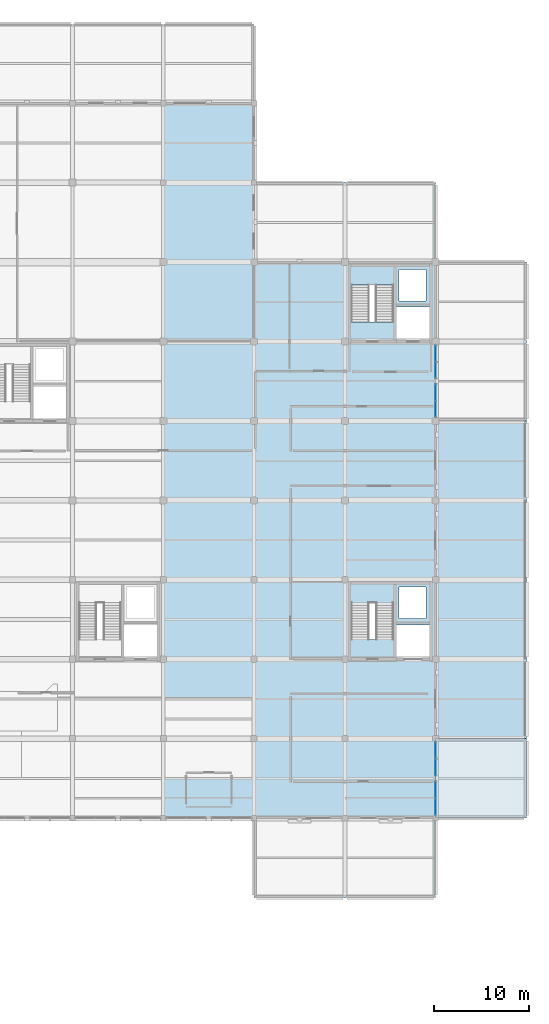
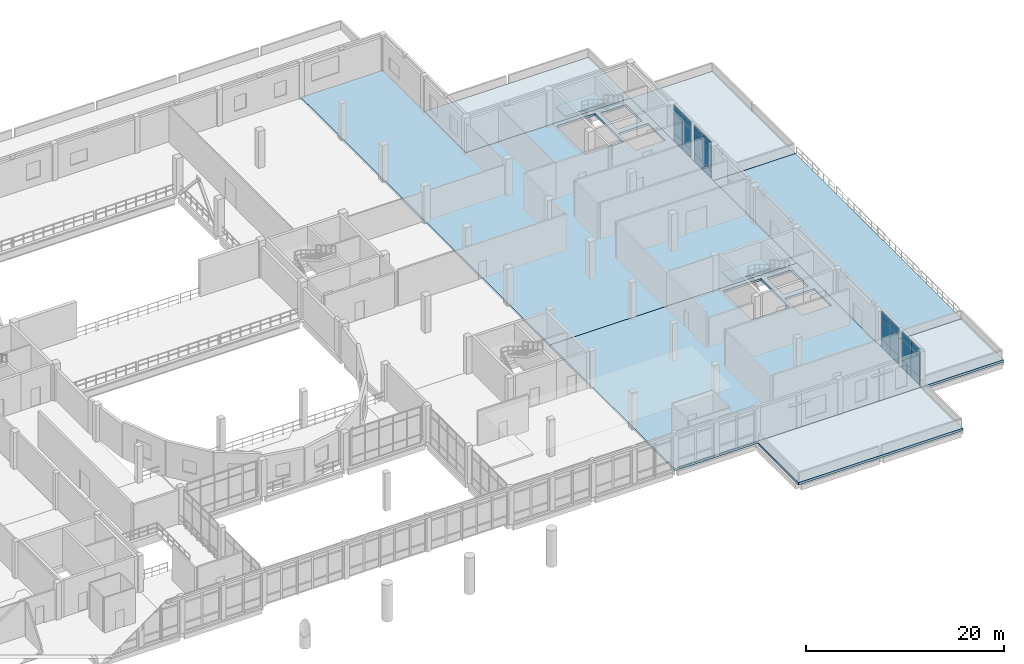
# One storey, part 70 of 88: 24 plates, 9 slabs, 6 elements without a shape of their own.
"""IFC4 building model written with IfcOpenShell, lengths in metres."""

from ifc_helpers import new_model, si_unit, direction, frame, origin, origin_2d, place, context, subcontext, project, spatial, polyline, rectangle, outline, extrude, material, layer, layer_set, type_object, element, aggregate, save


model = new_model("IFC4")

# Units and contexts
model_context = context("Model", 3, precision=1e-05, world=origin(), true_north=direction((0.0, 1.0)))
body_context = subcontext(model_context, "Body", "Model", "MODEL_VIEW")
ifc_project = project(units=[si_unit("LENGTHUNIT", "METRE"), si_unit("AREAUNIT", "SQUARE_METRE"), si_unit("VOLUMEUNIT", "CUBIC_METRE"), si_unit("PLANEANGLEUNIT", "RADIAN"), si_unit("MASSUNIT", "GRAM", prefix="KILO")], contexts=[model_context])

# Site, building, storey
site_placement = place(None, origin())
site = spatial("IfcSite", under=ifc_project, at=site_placement, CompositionType="ELEMENT")
building_placement = place(site_placement, origin())
building = spatial("IfcBuilding", under=site, at=building_placement, Name="Lornevale Opera House", CompositionType="ELEMENT")
storey_placement = place(building_placement, frame((0.0, 0.0, 10.199951171875)))
storey = spatial("IfcBuildingStorey", under=building, at=storey_placement, Name="L03", CompositionType="ELEMENT", Elevation=10.199951171875)

# Slabs
ifc_material_1 = material(Name="Concrete 35 MPa (CSA A23.1 N)", Category="concrete")
ifc_layer_1 = layer(ifc_material_1, 0.280029296875)
ifc_layer_set_1 = layer_set([ifc_layer_1], Name="Concrete 35 MPa (CSA A23.1 N)")
slab_type_1 = type_object("IfcSlabType", Name="Dress Circle Floor Slab 280", PredefinedType="FLOOR", material=ifc_layer_set_1)
slab_1_placement = place(storey_placement, frame((0.0, 0.0, -0.280029296875)))
element("IfcSlab", 1, at=slab_1_placement, inside=storey, type_object=slab_type_1, Name="Dress Circle Floor Slab 280 SL-047", PredefinedType="FLOOR", context=body_context, shape_type="SweptSolid", body=[
    extrude(outline(polyline([(115.199951171875, 33.60009765625), (115.199951171875, 42.0), (124.800048828125, 42.0), (134.39990234375, 42.0), (144.0, 42.0), (144.0, 33.60009765625), (144.0, 25.199951171875), (144.0, 16.800048828125), (134.39990234375, 16.800048828125), (124.800048828125, 16.800048828125), (115.199951171875, 16.800048828125), (115.199951171875, 25.199951171875), (115.199951171875, 33.60009765625)]), holes=[polyline([(139.860107421875, 33.780029296875), (143.320068359375, 33.780029296875), (143.320068359375, 37.239990234375), (139.860107421875, 37.239990234375), (139.860107421875, 33.780029296875)]), polyline([(135.06005859375, 35.679931640625), (139.5400390625, 35.679931640625), (139.5400390625, 41.47998046875), (135.06005859375, 41.47998046875), (135.06005859375, 35.679931640625)]), polyline([(140.10009765625, 37.89990234375), (143.0, 37.89990234375), (143.0, 41.239990234375), (140.10009765625, 41.239990234375), (140.10009765625, 37.89990234375)])]), origin(), (0.0, 0.0, 1.0), 0.280029296875),
])
slab_2_placement = place(storey_placement, frame((0.0, 0.0, -0.280029296875)))
element("IfcSlab", 2, at=slab_2_placement, inside=storey, type_object=slab_type_1, Name="Dress Circle Floor Slab 280 SL-050", PredefinedType="FLOOR", context=body_context, shape_type="SweptSolid", body=[
    extrude(outline(polyline([(115.199951171875, 58.800048828125), (115.199951171875, 67.199951171875), (115.199951171875, 75.60009765625), (115.199951171875, 84.0), (115.199951171875, 92.39990234375), (124.800048828125, 92.39990234375), (124.800048828125, 84.0), (124.800048828125, 75.60009765625), (134.39990234375, 75.60009765625), (144.0, 75.60009765625), (144.0, 67.199951171875), (144.0, 58.800048828125), (144.0, 50.39990234375), (144.0, 42.0), (134.39990234375, 42.0), (124.800048828125, 42.0), (115.199951171875, 42.0), (115.199951171875, 50.39990234375), (115.199951171875, 58.800048828125)]), holes=[polyline([(139.860107421875, 67.3798828125), (143.320068359375, 67.3798828125), (143.320068359375, 70.840087890625), (139.860107421875, 70.840087890625), (139.860107421875, 67.3798828125)]), polyline([(135.06005859375, 69.280029296875), (139.5400390625, 69.280029296875), (139.5400390625, 75.080078125), (135.06005859375, 75.080078125), (135.06005859375, 69.280029296875)]), polyline([(140.10009765625, 71.5), (143.0, 71.5), (143.0, 74.840087890625), (140.10009765625, 74.840087890625), (140.10009765625, 71.5)])]), origin(), (0.0, 0.0, 1.0), 0.280029296875),
])
ifc_material_2 = material(Name="Concrete 40 MPa (CSA A23.1 C-1)", Category="concrete")
ifc_layer_2 = layer(ifc_material_2, 0.25)
ifc_layer_set_2 = layer_set([ifc_layer_2], Name="Concrete 40 MPa (CSA A23.1 C-1)")
slab_type_2 = type_object("IfcSlabType", Name="Escarpment Terrace Deck Slab 250", PredefinedType="USERDEFINED", material=ifc_layer_set_2)
slab_3_placement = place(storey_placement, frame((0.0, 0.0, -0.25)))
element("IfcSlab", 3, at=slab_3_placement, inside=storey, type_object=slab_type_2, Name="Escarpment Terrace Deck Slab 250 SL-052", ObjectType="TERRACE", PredefinedType="USERDEFINED", context=body_context, shape_type="SweptSolid", body=[
    extrude(outline(polyline([(144.0, 25.199951171875), (144.0, 33.60009765625), (144.0, 42.0), (144.0, 50.39990234375), (144.0, 58.800048828125), (153.60009765625, 58.800048828125), (153.60009765625, 50.39990234375), (153.60009765625, 42.0), (153.60009765625, 33.60009765625), (153.60009765625, 25.199951171875), (144.0, 25.199951171875)])), origin(), (0.0, 0.0, 1.0), 0.25),
])

# Stair, slab
ifc_layer_3 = layer(ifc_material_1, 4.800048828125)
ifc_layer_set_3 = layer_set([ifc_layer_3], Name="Concrete 35 MPa (CSA A23.1 N)")
stair_type_1 = type_object("IfcStairType", Name="Firefighter Core Stair 4800-W1880", PredefinedType="TWO_STRAIGHT_RUN_STAIR", material=ifc_layer_set_3)
stair_1_placement = place(storey_placement, origin())
stair_1 = element("IfcStair", 4, at=stair_1_placement, inside=storey, type_object=stair_type_1, Name="Backstage Firefighter Core East Stair ST-32 (L03-L04)", PredefinedType="TWO_STRAIGHT_RUN_STAIR")
ifc_layer_4 = layer(ifc_material_1, 0.219970703125)
ifc_layer_set_4 = layer_set([ifc_layer_4], Name="Concrete 35 MPa (CSA A23.1 N)")
slab_type_3 = type_object("IfcSlabType", Name="Stair Half-Landing Slab 220", PredefinedType="LANDING", material=ifc_layer_set_4)
slab_4_placement = place(storey_placement, frame((0.0, 0.0, 2.179931640625)))
slab_4 = element("IfcSlab", 5, at=slab_4_placement, type_object=slab_type_3, Name="ST-32 Half-Landing SL-LND-032", PredefinedType="LANDING", context=body_context, shape_type="SweptSolid", body=[
    extrude(outline(polyline([(135.0, 73.159912109375), (139.60009765625, 73.159912109375), (139.60009765625, 75.179931640625), (135.0, 75.179931640625), (135.0, 73.159912109375)])), origin(), (0.0, 0.0, 1.0), 0.22021484375),
])
aggregate(stair_1, [slab_4])

ifc_layer_5 = layer(ifc_material_1, 4.800048828125)
ifc_layer_set_5 = layer_set([ifc_layer_5], Name="Concrete 35 MPa (CSA A23.1 N)")
stair_type_2 = type_object("IfcStairType", Name="Protected Exit Stair 4800-W1840", PredefinedType="TWO_STRAIGHT_RUN_STAIR", material=ifc_layer_set_5)
stair_2_placement = place(storey_placement, origin())
stair_2 = element("IfcStair", 6, at=stair_2_placement, inside=storey, type_object=stair_type_2, Name="Backstage Service Lift Core Stair ST-39 (L03-L04)", PredefinedType="TWO_STRAIGHT_RUN_STAIR")
slab_5_placement = place(storey_placement, frame((0.0, 0.0, 2.179931640625)))
slab_5 = element("IfcSlab", 7, at=slab_5_placement, type_object=slab_type_3, Name="ST-39 Half-Landing SL-LND-039", PredefinedType="LANDING", context=body_context, shape_type="SweptSolid", body=[
    extrude(outline(polyline([(135.0, 39.56005859375), (139.60009765625, 39.56005859375), (139.60009765625, 41.580078125), (135.0, 41.580078125), (135.0, 39.56005859375)])), origin(), (0.0, 0.0, 1.0), 0.22021484375),
])
aggregate(stair_2, [slab_5])

# Curtain wall, plates
ifc_material_3 = material(Name="Anodized Oxide-Green Aluminium Framing", Category="aluminium")
ifc_layer_6 = layer(ifc_material_3, 0.179931640625)
ifc_layer_set_6 = layer_set([ifc_layer_6], Name="Anodized Oxide-Green Aluminium Framing")
curtain_wall_type = type_object("IfcCurtainWallType", Name="Promenade Gallery Curtain Wall M1800", PredefinedType="NOTDEFINED", material=ifc_layer_set_6)
curtain_wall_1_placement = place(storey_placement, origin())
curtain_wall_1 = element("IfcCurtainWall", 8, at=curtain_wall_1_placement, inside=storey, type_object=curtain_wall_type, Name="Promenade Gallery Curtain Wall M1800 CW-145", PredefinedType="NOTDEFINED")
ifc_material_4 = material(Name="Triple Low-E Insulated Glazing", Category="glass")
ifc_layer_7 = layer(ifc_material_4, 0.0380859375)
ifc_layer_set_7 = layer_set([ifc_layer_7], Name="Triple Low-E Insulated Glazing")
plate_type = type_object("IfcPlateType", Name="Triple Low-E Vision Panel 38", PredefinedType="CURTAIN_PANEL", material=ifc_layer_set_7)
plate_1_placement = place(storey_placement, frame((144.0, 23.962890625, 0.06494140625), z_axis=(0.0, 0.0, 1.0), x_axis=(0.0, -1.0, 0.0)))
plate_1 = element("IfcPlate", 9, at=plate_1_placement, type_object=plate_type, Name="Triple Low-E Vision Panel 38 CW3024", PredefinedType="CURTAIN_PANEL", context=body_context, shape_type="SweptSolid", body=[
    extrude(rectangle(XDim=1.701904296875, YDim=0.0380859375, at=origin_2d()), origin(), (0.0, 0.0, 1.0), 0.952392578125),
])
plate_2_placement = place(storey_placement, frame((144.0, 23.962890625, 1.08251953125), z_axis=(0.0, 0.0, 1.0), x_axis=(0.0, -1.0, 0.0)))
plate_2 = element("IfcPlate", 10, at=plate_2_placement, type_object=plate_type, Name="Triple Low-E Vision Panel 38 CW3025", PredefinedType="CURTAIN_PANEL", context=body_context, shape_type="SweptSolid", body=[
    extrude(rectangle(XDim=1.701904296875, YDim=0.0380859375, at=origin_2d()), origin(), (0.0, 0.0, 1.0), 2.47509765625),
])
plate_3_placement = place(storey_placement, frame((144.0, 23.962890625, 3.62255859375), z_axis=(0.0, 0.0, 1.0), x_axis=(0.0, -1.0, 0.0)))
plate_3 = element("IfcPlate", 11, at=plate_3_placement, type_object=plate_type, Name="Triple Low-E Vision Panel 38 CW3026", PredefinedType="CURTAIN_PANEL", context=body_context, shape_type="SweptSolid", body=[
    extrude(rectangle(XDim=1.701904296875, YDim=0.0380859375, at=origin_2d()), origin(), (0.0, 0.0, 1.0), 0.8525390625),
])
plate_4_placement = place(storey_placement, frame((144.0, 22.196044921875, 0.06494140625), z_axis=(0.0, 0.0, 1.0), x_axis=(0.0, -1.0, 0.0)))
plate_4 = element("IfcPlate", 12, at=plate_4_placement, type_object=plate_type, Name="Triple Low-E Vision Panel 38 CW3031", PredefinedType="CURTAIN_PANEL", context=body_context, shape_type="SweptSolid", body=[
    extrude(rectangle(XDim=1.701904296875, YDim=0.0380859375, at=origin_2d()), origin(), (0.0, 0.0, 1.0), 0.952392578125),
])
plate_5_placement = place(storey_placement, frame((144.0, 22.196044921875, 1.08251953125), z_axis=(0.0, 0.0, 1.0), x_axis=(0.0, -1.0, 0.0)))
plate_5 = element("IfcPlate", 13, at=plate_5_placement, type_object=plate_type, Name="Triple Low-E Vision Panel 38 CW3032", PredefinedType="CURTAIN_PANEL", context=body_context, shape_type="SweptSolid", body=[
    extrude(rectangle(XDim=1.701904296875, YDim=0.0380859375, at=origin_2d()), origin(), (0.0, 0.0, 1.0), 2.47509765625),
])
plate_6_placement = place(storey_placement, frame((144.0, 22.196044921875, 3.62255859375), z_axis=(0.0, 0.0, 1.0), x_axis=(0.0, -1.0, 0.0)))
plate_6 = element("IfcPlate", 14, at=plate_6_placement, type_object=plate_type, Name="Triple Low-E Vision Panel 38 CW3033", PredefinedType="CURTAIN_PANEL", context=body_context, shape_type="SweptSolid", body=[
    extrude(rectangle(XDim=1.701904296875, YDim=0.0380859375, at=origin_2d()), origin(), (0.0, 0.0, 1.0), 0.8525390625),
])
aggregate(curtain_wall_1, [plate_1, plate_2, plate_3, plate_4, plate_5, plate_6])

curtain_wall_2_placement = place(storey_placement, origin())
curtain_wall_2 = element("IfcCurtainWall", 15, at=curtain_wall_2_placement, inside=storey, type_object=curtain_wall_type, Name="Promenade Gallery Curtain Wall M1800 CW-146", PredefinedType="NOTDEFINED")
plate_7_placement = place(storey_placement, frame((144.0, 19.79150390625, 0.06494140625), z_axis=(0.0, 0.0, 1.0), x_axis=(0.0, -1.0, 0.0)))
plate_7 = element("IfcPlate", 16, at=plate_7_placement, type_object=plate_type, Name="Triple Low-E Vision Panel 38 CW3041", PredefinedType="CURTAIN_PANEL", context=body_context, shape_type="SweptSolid", body=[
    extrude(rectangle(XDim=1.72705078125, YDim=0.0380859375, at=origin_2d()), origin(), (0.0, 0.0, 1.0), 0.952392578125),
])
plate_8_placement = place(storey_placement, frame((144.0, 19.79150390625, 1.08251953125), z_axis=(0.0, 0.0, 1.0), x_axis=(0.0, -1.0, 0.0)))
plate_8 = element("IfcPlate", 17, at=plate_8_placement, type_object=plate_type, Name="Triple Low-E Vision Panel 38 CW3042", PredefinedType="CURTAIN_PANEL", context=body_context, shape_type="SweptSolid", body=[
    extrude(rectangle(XDim=1.72705078125, YDim=0.0380859375, at=origin_2d()), origin(), (0.0, 0.0, 1.0), 2.47509765625),
])
plate_9_placement = place(storey_placement, frame((144.0, 19.79150390625, 3.62255859375), z_axis=(0.0, 0.0, 1.0), x_axis=(0.0, -1.0, 0.0)))
plate_9 = element("IfcPlate", 18, at=plate_9_placement, type_object=plate_type, Name="Triple Low-E Vision Panel 38 CW3043", PredefinedType="CURTAIN_PANEL", context=body_context, shape_type="SweptSolid", body=[
    extrude(rectangle(XDim=1.72705078125, YDim=0.0380859375, at=origin_2d()), origin(), (0.0, 0.0, 1.0), 0.8525390625),
])
plate_10_placement = place(storey_placement, frame((144.0, 17.99951171875, 0.06494140625), z_axis=(0.0, 0.0, 1.0), x_axis=(0.0, -1.0, 0.0)))
plate_10 = element("IfcPlate", 19, at=plate_10_placement, type_object=plate_type, Name="Triple Low-E Vision Panel 38 CW3048", PredefinedType="CURTAIN_PANEL", context=body_context, shape_type="SweptSolid", body=[
    extrude(rectangle(XDim=1.72705078125, YDim=0.0380859375, at=origin_2d()), origin(), (0.0, 0.0, 1.0), 0.952392578125),
])
plate_11_placement = place(storey_placement, frame((144.0, 17.99951171875, 1.08251953125), z_axis=(0.0, 0.0, 1.0), x_axis=(0.0, -1.0, 0.0)))
plate_11 = element("IfcPlate", 20, at=plate_11_placement, type_object=plate_type, Name="Triple Low-E Vision Panel 38 CW3049", PredefinedType="CURTAIN_PANEL", context=body_context, shape_type="SweptSolid", body=[
    extrude(rectangle(XDim=1.72705078125, YDim=0.0380859375, at=origin_2d()), origin(), (0.0, 0.0, 1.0), 2.47509765625),
])
plate_12_placement = place(storey_placement, frame((144.0, 17.99951171875, 3.62255859375), z_axis=(0.0, 0.0, 1.0), x_axis=(0.0, -1.0, 0.0)))
plate_12 = element("IfcPlate", 21, at=plate_12_placement, type_object=plate_type, Name="Triple Low-E Vision Panel 38 CW3050", PredefinedType="CURTAIN_PANEL", context=body_context, shape_type="SweptSolid", body=[
    extrude(rectangle(XDim=1.72705078125, YDim=0.0380859375, at=origin_2d()), origin(), (0.0, 0.0, 1.0), 0.8525390625),
])
aggregate(curtain_wall_2, [plate_7, plate_8, plate_9, plate_10, plate_11, plate_12])

curtain_wall_3_placement = place(storey_placement, origin())
curtain_wall_3 = element("IfcCurtainWall", 22, at=curtain_wall_3_placement, inside=storey, type_object=curtain_wall_type, Name="Promenade Gallery Curtain Wall M1800 CW-147", PredefinedType="NOTDEFINED")
plate_13_placement = place(storey_placement, frame((144.0, 65.925537109375, 0.06494140625), z_axis=(0.0, 0.0, 1.0), x_axis=(0.0, -1.0, 0.0)))
plate_13 = element("IfcPlate", 23, at=plate_13_placement, type_object=plate_type, Name="Triple Low-E Vision Panel 38 CW3058", PredefinedType="CURTAIN_PANEL", context=body_context, shape_type="SweptSolid", body=[
    extrude(rectangle(XDim=1.677001953125, YDim=0.0380859375, at=origin_2d()), origin(), (0.0, 0.0, 1.0), 0.952392578125),
])
plate_14_placement = place(storey_placement, frame((144.0, 65.925537109375, 1.08251953125), z_axis=(0.0, 0.0, 1.0), x_axis=(0.0, -1.0, 0.0)))
plate_14 = element("IfcPlate", 24, at=plate_14_placement, type_object=plate_type, Name="Triple Low-E Vision Panel 38 CW3059", PredefinedType="CURTAIN_PANEL", context=body_context, shape_type="SweptSolid", body=[
    extrude(rectangle(XDim=1.677001953125, YDim=0.0380859375, at=origin_2d()), origin(), (0.0, 0.0, 1.0), 2.47509765625),
])
plate_15_placement = place(storey_placement, frame((144.0, 65.925537109375, 3.62255859375), z_axis=(0.0, 0.0, 1.0), x_axis=(0.0, -1.0, 0.0)))
plate_15 = element("IfcPlate", 25, at=plate_15_placement, type_object=plate_type, Name="Triple Low-E Vision Panel 38 CW3060", PredefinedType="CURTAIN_PANEL", context=body_context, shape_type="SweptSolid", body=[
    extrude(rectangle(XDim=1.677001953125, YDim=0.0380859375, at=origin_2d()), origin(), (0.0, 0.0, 1.0), 0.8525390625),
])
plate_16_placement = place(storey_placement, frame((144.0, 64.18359375, 0.06494140625), z_axis=(0.0, 0.0, 1.0), x_axis=(0.0, -1.0, 0.0)))
plate_16 = element("IfcPlate", 26, at=plate_16_placement, type_object=plate_type, Name="Triple Low-E Vision Panel 38 CW3065", PredefinedType="CURTAIN_PANEL", context=body_context, shape_type="SweptSolid", body=[
    extrude(rectangle(XDim=1.677001953125, YDim=0.0380859375, at=origin_2d()), origin(), (0.0, 0.0, 1.0), 0.952392578125),
])
plate_17_placement = place(storey_placement, frame((144.0, 64.18359375, 1.08251953125), z_axis=(0.0, 0.0, 1.0), x_axis=(0.0, -1.0, 0.0)))
plate_17 = element("IfcPlate", 27, at=plate_17_placement, type_object=plate_type, Name="Triple Low-E Vision Panel 38 CW3066", PredefinedType="CURTAIN_PANEL", context=body_context, shape_type="SweptSolid", body=[
    extrude(rectangle(XDim=1.677001953125, YDim=0.0380859375, at=origin_2d()), origin(), (0.0, 0.0, 1.0), 2.47509765625),
])
plate_18_placement = place(storey_placement, frame((144.0, 64.18359375, 3.62255859375), z_axis=(0.0, 0.0, 1.0), x_axis=(0.0, -1.0, 0.0)))
plate_18 = element("IfcPlate", 28, at=plate_18_placement, type_object=plate_type, Name="Triple Low-E Vision Panel 38 CW3067", PredefinedType="CURTAIN_PANEL", context=body_context, shape_type="SweptSolid", body=[
    extrude(rectangle(XDim=1.677001953125, YDim=0.0380859375, at=origin_2d()), origin(), (0.0, 0.0, 1.0), 0.8525390625),
])
aggregate(curtain_wall_3, [plate_13, plate_14, plate_15, plate_16, plate_17, plate_18])

curtain_wall_4_placement = place(storey_placement, origin())
curtain_wall_4 = element("IfcCurtainWall", 29, at=curtain_wall_4_placement, inside=storey, type_object=curtain_wall_type, Name="Promenade Gallery Curtain Wall M1800 CW-148", PredefinedType="NOTDEFINED")
plate_19_placement = place(storey_placement, frame((144.0, 61.81640625, 0.06494140625), z_axis=(0.0, 0.0, 1.0), x_axis=(0.0, -1.0, 0.0)))
plate_19 = element("IfcPlate", 30, at=plate_19_placement, type_object=plate_type, Name="Triple Low-E Vision Panel 38 CW3075", PredefinedType="CURTAIN_PANEL", context=body_context, shape_type="SweptSolid", body=[
    extrude(rectangle(XDim=1.677001953125, YDim=0.0380859375, at=origin_2d()), origin(), (0.0, 0.0, 1.0), 0.952392578125),
])
plate_20_placement = place(storey_placement, frame((144.0, 61.81640625, 1.08251953125), z_axis=(0.0, 0.0, 1.0), x_axis=(0.0, -1.0, 0.0)))
plate_20 = element("IfcPlate", 31, at=plate_20_placement, type_object=plate_type, Name="Triple Low-E Vision Panel 38 CW3076", PredefinedType="CURTAIN_PANEL", context=body_context, shape_type="SweptSolid", body=[
    extrude(rectangle(XDim=1.677001953125, YDim=0.0380859375, at=origin_2d()), origin(), (0.0, 0.0, 1.0), 2.47509765625),
])
plate_21_placement = place(storey_placement, frame((144.0, 61.81640625, 3.62255859375), z_axis=(0.0, 0.0, 1.0), x_axis=(0.0, -1.0, 0.0)))
plate_21 = element("IfcPlate", 32, at=plate_21_placement, type_object=plate_type, Name="Triple Low-E Vision Panel 38 CW3077", PredefinedType="CURTAIN_PANEL", context=body_context, shape_type="SweptSolid", body=[
    extrude(rectangle(XDim=1.677001953125, YDim=0.0380859375, at=origin_2d()), origin(), (0.0, 0.0, 1.0), 0.8525390625),
])
plate_22_placement = place(storey_placement, frame((144.0, 60.074462890625, 0.06494140625), z_axis=(0.0, 0.0, 1.0), x_axis=(0.0, -1.0, 0.0)))
plate_22 = element("IfcPlate", 33, at=plate_22_placement, type_object=plate_type, Name="Triple Low-E Vision Panel 38 CW3082", PredefinedType="CURTAIN_PANEL", context=body_context, shape_type="SweptSolid", body=[
    extrude(rectangle(XDim=1.677001953125, YDim=0.0380859375, at=origin_2d()), origin(), (0.0, 0.0, 1.0), 0.952392578125),
])
plate_23_placement = place(storey_placement, frame((144.0, 60.074462890625, 1.08251953125), z_axis=(0.0, 0.0, 1.0), x_axis=(0.0, -1.0, 0.0)))
plate_23 = element("IfcPlate", 34, at=plate_23_placement, type_object=plate_type, Name="Triple Low-E Vision Panel 38 CW3083", PredefinedType="CURTAIN_PANEL", context=body_context, shape_type="SweptSolid", body=[
    extrude(rectangle(XDim=1.677001953125, YDim=0.0380859375, at=origin_2d()), origin(), (0.0, 0.0, 1.0), 2.47509765625),
])
plate_24_placement = place(storey_placement, frame((144.0, 60.074462890625, 3.62255859375), z_axis=(0.0, 0.0, 1.0), x_axis=(0.0, -1.0, 0.0)))
plate_24 = element("IfcPlate", 35, at=plate_24_placement, type_object=plate_type, Name="Triple Low-E Vision Panel 38 CW3084", PredefinedType="CURTAIN_PANEL", context=body_context, shape_type="SweptSolid", body=[
    extrude(rectangle(XDim=1.677001953125, YDim=0.0380859375, at=origin_2d()), origin(), (0.0, 0.0, 1.0), 0.8525390625),
])
aggregate(curtain_wall_4, [plate_19, plate_20, plate_21, plate_22, plate_23, plate_24])

# Slabs
ifc_layer_8 = layer(ifc_material_1, 0.2900390625)
ifc_layer_set_8 = layer_set([ifc_layer_8], Name="Concrete 35 MPa (CSA A23.1 N)")
slab_type_4 = type_object("IfcSlabType", Name="Vegetated Green Roof Slab 290", PredefinedType="ROOF", material=ifc_layer_set_8)
slab_6_placement = place(storey_placement, frame((0.0, 0.0, -0.2900390625)))
element("IfcSlab", 36, at=slab_6_placement, inside=storey, type_object=slab_type_4, Name="Unoccupied Maintenance Vegetated Green Roof Slab SL-077", PredefinedType="ROOF", context=body_context, shape_type="SweptSolid", body=[
    extrude(outline(polyline([(144.0, 16.800048828125), (144.0, 8.39990234375), (134.39990234375, 8.39990234375), (124.800048828125, 8.39990234375), (124.800048828125, 16.800048828125), (134.39990234375, 16.800048828125), (144.0, 16.800048828125)])), origin(), (0.0, 0.0, 1.0), 0.2900390625),
])
slab_7_placement = place(storey_placement, frame((0.0, 0.0, -0.2900390625)))
element("IfcSlab", 37, at=slab_7_placement, inside=storey, type_object=slab_type_4, Name="Unoccupied Maintenance Vegetated Green Roof Slab SL-078", PredefinedType="ROOF", context=body_context, shape_type="SweptSolid", body=[
    extrude(outline(polyline([(144.0, 16.800048828125), (144.0, 25.199951171875), (153.60009765625, 25.199951171875), (153.60009765625, 16.800048828125), (144.0, 16.800048828125)])), origin(), (0.0, 0.0, 1.0), 0.2900390625),
])
slab_8_placement = place(storey_placement, frame((0.0, 0.0, -0.2900390625)))
element("IfcSlab", 38, at=slab_8_placement, inside=storey, type_object=slab_type_4, Name="Unoccupied Maintenance Vegetated Green Roof Slab SL-079", PredefinedType="ROOF", context=body_context, shape_type="SweptSolid", body=[
    extrude(outline(polyline([(144.0, 58.800048828125), (144.0, 67.199951171875), (144.0, 75.60009765625), (153.60009765625, 75.60009765625), (153.60009765625, 67.199951171875), (153.60009765625, 58.800048828125), (144.0, 58.800048828125)])), origin(), (0.0, 0.0, 1.0), 0.2900390625),
])
slab_9_placement = place(storey_placement, frame((0.0, 0.0, -0.2900390625)))
element("IfcSlab", 39, at=slab_9_placement, inside=storey, type_object=slab_type_4, Name="Unoccupied Maintenance Vegetated Green Roof Slab SL-080", PredefinedType="ROOF", context=body_context, shape_type="SweptSolid", body=[
    extrude(outline(polyline([(144.0, 75.60009765625), (134.39990234375, 75.60009765625), (124.800048828125, 75.60009765625), (124.800048828125, 84.0), (134.39990234375, 84.0), (144.0, 84.0), (144.0, 75.60009765625)])), origin(), (0.0, 0.0, 1.0), 0.2900390625),
])

save(model, "model.ifc")
